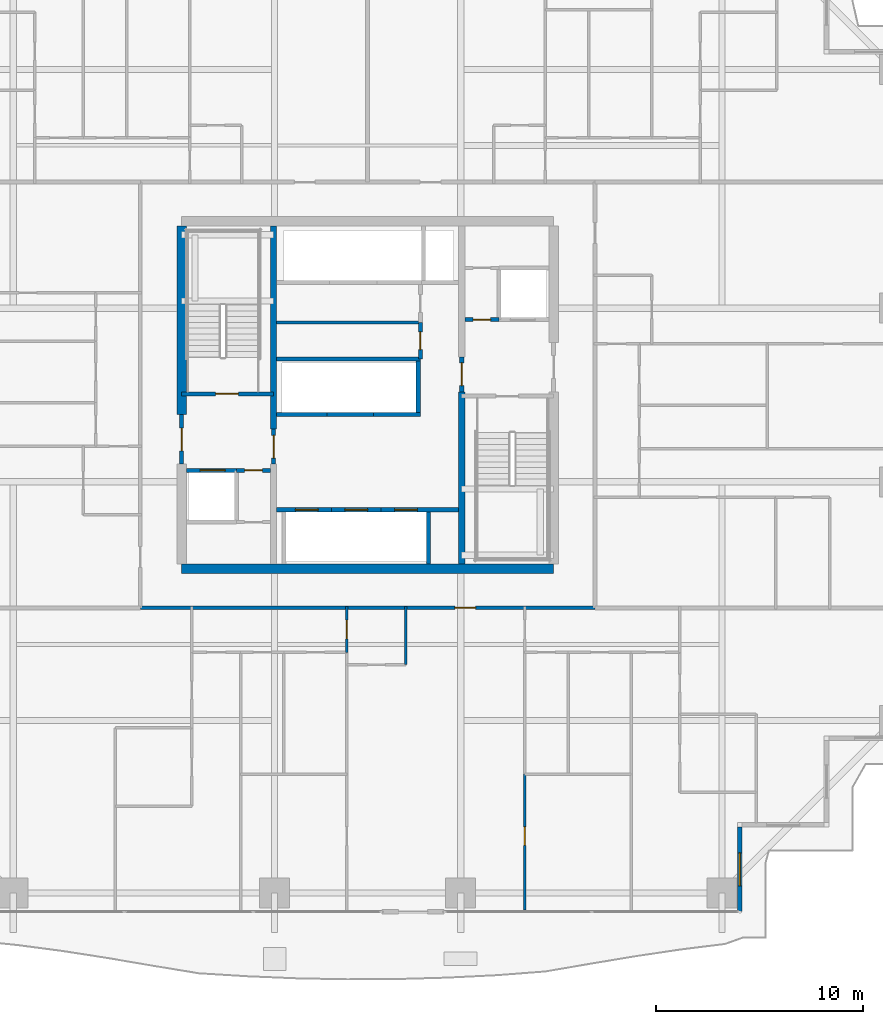
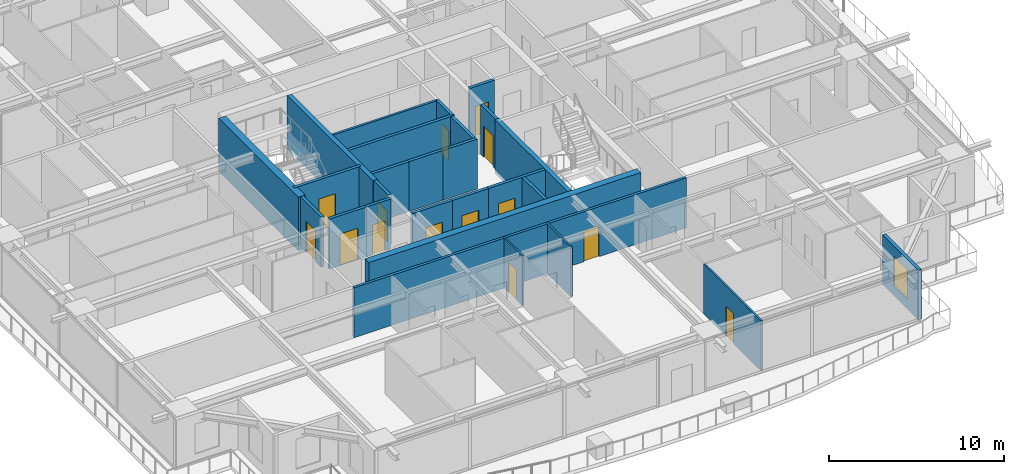
# One storey, part 28 of 39: 27 walls, 14 doors, 1 window, 15 openings.
"""IFC4 building model written with IfcOpenShell, lengths in metres."""

from ifc_helpers import new_model, si_unit, direction, frame, frame_2d, origin, place, context, subcontext, project, spatial, rectangle, extrude, source, transform, mapped, material, layer, layer_set, type_object, element, fill, save


model = new_model("IFC4")

# Units and contexts
model_context = context("Model", 3, precision=1e-05, world=origin(), true_north=direction((0.0, 1.0)))
body_context = subcontext(model_context, "Body", "Model", "MODEL_VIEW")
ifc_project = project(units=[si_unit("LENGTHUNIT", "METRE"), si_unit("AREAUNIT", "SQUARE_METRE"), si_unit("VOLUMEUNIT", "CUBIC_METRE"), si_unit("PLANEANGLEUNIT", "RADIAN"), si_unit("MASSUNIT", "GRAM", prefix="KILO")], contexts=[model_context])

# Site, building, storey
site_placement = place(None, origin())
site = spatial("IfcSite", under=ifc_project, at=site_placement, CompositionType="ELEMENT")
building_placement = place(site_placement, origin())
building = spatial("IfcBuilding", under=site, at=building_placement, Name="Serunith Strait Residences", CompositionType="ELEMENT")
storey_placement = place(building_placement, frame((0.0, 0.0, 94.199951171875)))
storey = spatial("IfcBuildingStorey", under=building, at=storey_placement, Name="L23", CompositionType="ELEMENT", Elevation=94.199951171875)

# Wall, opening, window
ifc_material_1 = material(Name="Pale-Champagne Aluminium Insulated Panel", Category="aluminium")
ifc_layer_1 = layer(ifc_material_1, 0.219970703125, Name="Pale-Champagne Aluminium Insulated Panel")
ifc_layer_set_1 = layer_set([ifc_layer_1], Name="Pale-Champagne Aluminium Insulated Panel")
wall_type_1 = type_object("IfcWallType", Name="EW-ALUM-220", PredefinedType="ELEMENTEDWALL", material=ifc_layer_set_1)
wall_1_placement = place(storey_placement, frame((50.39990234375, 0.199951171875, 0.0), z_axis=(0.0, 0.0, 1.0), x_axis=(0.0, 1.0, 0.0)))
wall_1 = element("IfcWall", 1, at=wall_1_placement, inside=storey, type_object=wall_type_1, Name="L23 Girih Serrated Corner Wall 02", PredefinedType="ELEMENTEDWALL", context=body_context, shape_type="SweptSolid", body=[
    extrude(rectangle(XDim=4.090087890625, YDim=0.219970703125, at=frame_2d((2.044921875, 0.0))), origin(), (0.0, 0.0, 1.0), 3.47509765625),
])
opening_1_placement = place(wall_1_placement, frame((1.2451171875, 0.0, 0.64990234375)))
opening_1 = element("IfcOpeningElement", 2, at=opening_1_placement, cuts=wall_1, Name="Opening W-02", PredefinedType="OPENING", context=body_context, shape_type="SweptSolid", body=[
    extrude(rectangle(XDim=1.60009765625, YDim=2.10009765625, at=frame_2d((0.800048828125, 1.050048828125))), frame((0.0, 0.1201171875, 0.0), z_axis=(0.0, -1.0, 0.0), x_axis=(1.0, 0.0, 0.0)), (0.0, 0.0, 1.0), 0.239990234375),
])
ifc_material_2 = material(Name="Ceramic-Fritted Operable Aluminium Window Glass", Category="aluminium")
window_type = type_object("IfcWindowType", Name="WIN-C2", PartitioningType="DOUBLE_PANEL_VERTICAL", PredefinedType="WINDOW", material=ifc_material_2)
shared_shape_1 = source(origin(), body_context, "Body", "SweptSolid", [
    extrude(rectangle(XDim=1.60009765625, YDim=2.10009765625, at=frame_2d((0.800048828125, 1.050048828125))), frame((0.0, 0.030029296875, 0.0), z_axis=(0.0, -1.0, 0.0), x_axis=(1.0, 0.0, 0.0)), (0.0, 0.0, 1.0), 0.06005859375),
])
window_placement = place(opening_1_placement, origin())
window = element("IfcWindow", 3, at=window_placement, inside=storey, type_object=window_type, Name="L23 Corner Operable Fritted Window 02", OverallHeight=2.10009765625, OverallWidth=1.60009765625, PartitioningType="SINGLE_PANEL", PredefinedType="WINDOW", context=body_context, shape_type="MappedRepresentation", body=[
    mapped(shared_shape_1, transform((0.0, 0.0, 0.0), scale=1.0)),
])
fill(opening_1, window)

# Wall
ifc_material_3 = material(Name="Fire-rated masonry service closet wall", Category="masonry")
ifc_layer_2 = layer(ifc_material_3, 0.14990234375, Name="Fire-rated masonry service closet wall")
ifc_layer_set_2 = layer_set([ifc_layer_2], Name="Fire-rated masonry service closet wall")
wall_type_2 = type_object("IfcWallType", Name="IW-BOH-150", PredefinedType="PARTITIONING", material=ifc_layer_set_2)
wall_2_placement = place(storey_placement, frame((28.0, 28.699951171875, 0.0), z_axis=(0.0, 0.0, 1.0), x_axis=(1.0, 0.0, 0.0)))
element("IfcWall", 4, at=wall_2_placement, inside=storey, type_object=wall_type_2, Name="L23 Partition Wall 016", PredefinedType="PARTITIONING", context=body_context, shape_type="SweptSolid", body=[
    extrude(rectangle(XDim=6.949951171875, YDim=0.14990234375, at=frame_2d((3.47509765625, 0.0))), origin(), (0.0, 0.0, 1.0), 3.489990234375),
])

# Wall, opening, door
ifc_material_4 = material(Name="Fire-rated acoustic gypsum partition")
ifc_layer_3 = layer(ifc_material_4, 0.179931640625, Name="Fire-rated acoustic gypsum partition")
ifc_layer_set_3 = layer_set([ifc_layer_3], Name="Fire-rated acoustic gypsum partition")
wall_type_3 = type_object("IfcWallType", Name="IW-CORR-180", PredefinedType="PARTITIONING", material=ifc_layer_set_3)
wall_3_placement = place(storey_placement, frame((21.402099609375, 14.89990234375, 0.0), z_axis=(0.0, 0.0, 1.0), x_axis=(1.0, 0.0, 0.0)))
wall_3 = element("IfcWall", 5, at=wall_3_placement, inside=storey, type_object=wall_type_3, Name="L23 Partition Wall 022", PredefinedType="PARTITIONING", context=body_context, shape_type="SweptSolid", body=[
    extrude(rectangle(XDim=21.995849609375, YDim=0.179931640625, at=frame_2d((10.998046875, 0.0))), origin(), (0.0, 0.0, 1.0), 3.489990234375),
])
opening_2_placement = place(wall_3_placement, frame((15.221923828125, 0.0, 0.0)))
opening_2 = element("IfcOpeningElement", 6, at=opening_2_placement, cuts=wall_3, Name="Opening D-APT1000", PredefinedType="OPENING", context=body_context, shape_type="SweptSolid", body=[
    extrude(rectangle(XDim=1.0, YDim=2.14990234375, at=frame_2d((0.5, 1.074951171875))), frame((0.0, 0.10009765625, 0.0), z_axis=(0.0, -1.0, 0.0), x_axis=(1.0, 0.0, 0.0)), (0.0, 0.0, 1.0), 0.199951171875),
])
ifc_material_5 = material(Name="Solid timber engineered fire door", Category="wood")
door_type_1 = type_object("IfcDoorType", Name="ID-APT-1000", OperationType="NOTDEFINED", PredefinedType="DOOR", material=ifc_material_5)
shared_shape_2 = source(origin(), body_context, "Body", "SweptSolid", [
    extrude(rectangle(XDim=1.0, YDim=2.14990234375, at=frame_2d((0.5, 1.074951171875))), frame((0.0, 0.02490234375, 0.0), z_axis=(0.0, -1.0, 0.0), x_axis=(1.0, 0.0, 0.0)), (0.0, 0.0, 1.0), 0.050048828125),
])
door_1_placement = place(opening_2_placement, origin())
door_1 = element("IfcDoor", 7, at=door_1_placement, inside=storey, type_object=door_type_1, Name="L23 Unit 01 Entrance Door", OperationType="SINGLE_SWING_RIGHT", OverallHeight=2.14990234375, OverallWidth=1.0, PredefinedType="DOOR", context=body_context, shape_type="MappedRepresentation", body=[
    mapped(shared_shape_2, transform((0.0, 0.0, 0.0), scale=1.0)),
])
fill(opening_2, door_1)

# Wall
ifc_material_6 = material(Name="Lightweight steel-stud gypsum partition", Category="steel")
ifc_layer_4 = layer(ifc_material_6, 0.1201171875, Name="Lightweight steel-stud gypsum partition")
ifc_layer_set_4 = layer_set([ifc_layer_4], Name="Lightweight steel-stud gypsum partition")
wall_type_4 = type_object("IfcWallType", Name="IW-PART-120", PredefinedType="PARTITIONING", material=ifc_layer_set_4)
wall_4_placement = place(storey_placement, frame((34.25, 12.14990234375, 0.0), z_axis=(0.0, 0.0, 1.0), x_axis=(0.0, 1.0, 0.0)))
element("IfcWall", 8, at=wall_4_placement, inside=storey, type_object=wall_type_4, Name="L23 Partition Wall 027", PredefinedType="PARTITIONING", context=body_context, shape_type="SweptSolid", body=[
    extrude(rectangle(XDim=2.81005859375, YDim=0.1201171875, at=frame_2d((1.405029296875, 0.0))), origin(), (0.0, 0.0, 1.0), 3.489990234375),
])

# Wall, opening, door
wall_5_placement = place(storey_placement, frame((31.39990234375, 12.75, 0.0), z_axis=(0.0, 0.0, 1.0), x_axis=(0.0, 1.0, 0.0)))
wall_5 = element("IfcWall", 9, at=wall_5_placement, inside=storey, type_object=wall_type_4, Name="L23 Partition Wall 028", PredefinedType="PARTITIONING", context=body_context, shape_type="SweptSolid", body=[
    extrude(rectangle(XDim=2.2099609375, YDim=0.1201171875, at=frame_2d((1.10498046875, 0.0))), origin(), (0.0, 0.0, 1.0), 3.489990234375),
])
opening_3_placement = place(wall_5_placement, frame((0.655029296875, 0.0, 0.0)))
opening_3 = element("IfcOpeningElement", 10, at=opening_3_placement, cuts=wall_5, Name="Opening D-RM900", PredefinedType="OPENING", context=body_context, shape_type="SweptSolid", body=[
    extrude(rectangle(XDim=0.89990234375, YDim=2.10009765625, at=frame_2d((0.449951171875, 1.050048828125))), frame((0.0, 0.070068359375, 0.0), z_axis=(0.0, -1.0, 0.0), x_axis=(1.0, 0.0, 0.0)), (0.0, 0.0, 1.0), 0.14013671875),
])
ifc_material_7 = material(Name="Engineered timber flush bedroom door", Category="wood")
door_type_2 = type_object("IfcDoorType", Name="ID-ROOM-900", OperationType="NOTDEFINED", PredefinedType="DOOR", material=ifc_material_7)
shared_shape_3 = source(origin(), body_context, "Body", "SweptSolid", [
    extrude(rectangle(XDim=0.89990234375, YDim=2.10009765625, at=frame_2d((0.449951171875, 1.050048828125))), frame((0.0, 0.02490234375, 0.0), z_axis=(0.0, -1.0, 0.0), x_axis=(1.0, 0.0, 0.0)), (0.0, 0.0, 1.0), 0.050048828125),
])
door_2_placement = place(opening_3_placement, origin())
door_2 = element("IfcDoor", 11, at=door_2_placement, inside=storey, type_object=door_type_2, Name="L23 Hall W 2301 Door", OperationType="SINGLE_SWING_RIGHT", OverallHeight=2.10009765625, OverallWidth=0.89990234375, PredefinedType="DOOR", context=body_context, shape_type="MappedRepresentation", body=[
    mapped(shared_shape_3, transform((0.0, 0.0, 0.0), scale=1.0)),
])
fill(opening_3, door_2)

wall_6_placement = place(storey_placement, frame((40.0, 0.294921875, 0.0), z_axis=(0.0, 0.0, 1.0), x_axis=(0.0, 1.0, 0.0)))
wall_6 = element("IfcWall", 12, at=wall_6_placement, inside=storey, type_object=wall_type_4, Name="L23 Partition Wall 044", PredefinedType="PARTITIONING", context=body_context, shape_type="SweptSolid", body=[
    extrude(rectangle(XDim=6.565185546875, YDim=0.1201171875, at=frame_2d((3.28271484375, 0.0))), origin(), (0.0, 0.0, 1.0), 3.489990234375),
])
opening_4_placement = place(wall_6_placement, frame((3.115966796875, 0.0, 0.0)))
opening_4 = element("IfcOpeningElement", 13, at=opening_4_placement, cuts=wall_6, Name="Opening D-RM900", PredefinedType="OPENING", context=body_context, shape_type="SweptSolid", body=[
    extrude(rectangle(XDim=0.89990234375, YDim=2.10009765625, at=frame_2d((0.449951171875, 1.050048828125))), frame((0.0, 0.070068359375, 0.0), z_axis=(0.0, -1.0, 0.0), x_axis=(1.0, 0.0, 0.0)), (0.0, 0.0, 1.0), 0.14013671875),
])
door_3_placement = place(opening_4_placement, origin())
door_3 = element("IfcDoor", 14, at=door_3_placement, inside=storey, type_object=door_type_2, Name="L23 Formal Dining Room 3 2301 Door", OperationType="SINGLE_SWING_RIGHT", OverallHeight=2.10009765625, OverallWidth=0.89990234375, PredefinedType="DOOR", context=body_context, shape_type="MappedRepresentation", body=[
    mapped(shared_shape_3, transform((0.0, 0.0, 0.0), scale=1.0)),
])
fill(opening_4, door_3)

ifc_material_8 = material(Name="Autoclaved aerated concrete blockwork", Category="masonry")
ifc_layer_5 = layer(ifc_material_8, 0.199951171875, Name="Autoclaved aerated concrete blockwork")
ifc_layer_set_5 = layer_set([ifc_layer_5], Name="Autoclaved aerated concrete blockwork")
wall_type_5 = type_object("IfcWallType", Name="IW-SHAFT-200", PredefinedType="STANDARD", material=ifc_layer_set_5)
wall_7_placement = place(storey_placement, frame((23.39990234375, 25.25, 0.0), z_axis=(0.0, 0.0, 1.0), x_axis=(1.0, 0.0, 0.0)))
wall_7 = element("IfcWall", 15, at=wall_7_placement, inside=storey, type_object=wall_type_5, Name="L23 ST-1 South Shaft Wall", PredefinedType="STANDARD", context=body_context, shape_type="SweptSolid", body=[
    extrude(rectangle(XDim=4.4501953125, YDim=0.199951171875, at=frame_2d((2.22509765625, 0.0))), origin(), (0.0, 0.0, 1.0), 3.489990234375),
])
opening_5_placement = place(wall_7_placement, frame((1.64990234375, 0.0, 0.0)))
opening_5 = element("IfcOpeningElement", 16, at=opening_5_placement, cuts=wall_7, Name="Opening FD-1100", PredefinedType="OPENING", context=body_context, shape_type="SweptSolid", body=[
    extrude(rectangle(XDim=1.10009765625, YDim=2.14990234375, at=frame_2d((0.550048828125, 1.074951171875))), frame((0.0, 0.10986328125, 0.0), z_axis=(0.0, -1.0, 0.0), x_axis=(1.0, 0.0, 0.0)), (0.0, 0.0, 1.0), 0.219970703125),
])
ifc_material_9 = material(Name="Galvanised steel fire door leaf", Category="steel")
door_type_3 = type_object("IfcDoorType", Name="FD-STAIR-1100", OperationType="NOTDEFINED", PredefinedType="DOOR", material=ifc_material_9)
shared_shape_4 = source(origin(), body_context, "Body", "SweptSolid", [
    extrude(rectangle(XDim=1.10009765625, YDim=2.14990234375, at=frame_2d((0.550048828125, 1.074951171875))), frame((0.0, 0.02490234375, 0.0), z_axis=(0.0, -1.0, 0.0), x_axis=(1.0, 0.0, 0.0)), (0.0, 0.0, 1.0), 0.050048828125),
])
door_4_placement = place(opening_5_placement, origin())
door_4 = element("IfcDoor", 17, at=door_4_placement, inside=storey, type_object=door_type_3, Name="L23 ST-1 Escape Stair Door", OperationType="SINGLE_SWING_LEFT", OverallHeight=2.14990234375, OverallWidth=1.10009765625, PredefinedType="DOOR", context=body_context, shape_type="MappedRepresentation", body=[
    mapped(shared_shape_4, transform((0.0, 0.0, 0.0), scale=1.0)),
])
fill(opening_5, door_4)

wall_8_placement = place(storey_placement, frame((23.625, 21.550048828125, 0.0), z_axis=(0.0, 0.0, 1.0), x_axis=(1.0, 0.0, 0.0)))
wall_8 = element("IfcWall", 18, at=wall_8_placement, inside=storey, type_object=wall_type_5, Name="L23 FL-1 North Shaft Wall", PredefinedType="STANDARD", context=body_context, shape_type="SweptSolid", body=[
    extrude(rectangle(XDim=2.425048828125, YDim=0.199951171875, at=frame_2d((1.21240234375, 0.0))), origin(), (0.0, 0.0, 1.0), 3.489990234375),
])
opening_6_placement = place(wall_8_placement, frame((0.675048828125, 0.0, 0.0)))
opening_6 = element("IfcOpeningElement", 19, at=opening_6_placement, cuts=wall_8, Name="Opening LD-FF1200", PredefinedType="OPENING", context=body_context, shape_type="SweptSolid", body=[
    extrude(rectangle(XDim=1.199951171875, YDim=2.199951171875, at=frame_2d((0.60009765625, 1.10009765625))), frame((0.0, 0.10986328125, 0.0), z_axis=(0.0, -1.0, 0.0), x_axis=(1.0, 0.0, 0.0)), (0.0, 0.0, 1.0), 0.219970703125),
])
ifc_material_10 = material(Name="Brushed stainless steel landing door", Category="steel")
door_type_4 = type_object("IfcDoorType", Name="LD-FF-1200", OperationType="DOUBLE_DOOR_SLIDING", PredefinedType="DOOR", material=ifc_material_10)
shared_shape_5 = source(origin(), body_context, "Body", "SweptSolid", [
    extrude(rectangle(XDim=1.199951171875, YDim=2.199951171875, at=frame_2d((0.60009765625, 1.10009765625))), frame((0.0, 0.02490234375, 0.0), z_axis=(0.0, -1.0, 0.0), x_axis=(1.0, 0.0, 0.0)), (0.0, 0.0, 1.0), 0.050048828125),
])
door_5_placement = place(opening_6_placement, origin())
door_5 = element("IfcDoor", 20, at=door_5_placement, inside=storey, type_object=door_type_4, Name="L23 FL-1 Landing Door", OperationType="DOUBLE_DOOR_SLIDING", OverallHeight=2.199951171875, OverallWidth=1.199951171875, PredefinedType="DOOR", context=body_context, shape_type="MappedRepresentation", body=[
    mapped(shared_shape_5, transform((0.0, 0.0, 0.0), scale=1.0)),
])
fill(opening_6, door_5)

wall_9_placement = place(storey_placement, frame((28.0, 19.64990234375, 0.0), z_axis=(0.0, 0.0, 1.0), x_axis=(1.0, 0.0, 0.0)))
wall_9 = element("IfcWall", 21, at=wall_9_placement, inside=storey, type_object=wall_type_5, Name="L23 PL-1 North Shaft Wall", PredefinedType="STANDARD", context=body_context, shape_type="SweptSolid", body=[
    extrude(rectangle(XDim=2.64990234375, YDim=0.199951171875, at=frame_2d((1.324951171875, 0.0))), origin(), (0.0, 0.0, 1.0), 3.489990234375),
])
opening_7_placement = place(wall_9_placement, frame((0.89990234375, 0.0, 0.0)))
opening_7 = element("IfcOpeningElement", 22, at=opening_7_placement, cuts=wall_9, Name="Opening LD-1100", PredefinedType="OPENING", context=body_context, shape_type="SweptSolid", body=[
    extrude(rectangle(XDim=1.10009765625, YDim=2.199951171875, at=frame_2d((0.550048828125, 1.10009765625))), frame((0.0, 0.10986328125, 0.0), z_axis=(0.0, -1.0, 0.0), x_axis=(1.0, 0.0, 0.0)), (0.0, 0.0, 1.0), 0.219970703125),
])
ifc_material_11 = material(Name="Pale-champagne stainless landing door")
door_type_5 = type_object("IfcDoorType", Name="LD-LIFT-1100", OperationType="DOUBLE_DOOR_SLIDING", PredefinedType="DOOR", material=ifc_material_11)
shared_shape_6 = source(origin(), body_context, "Body", "SweptSolid", [
    extrude(rectangle(XDim=1.10009765625, YDim=2.199951171875, at=frame_2d((0.550048828125, 1.10009765625))), frame((0.0, 0.02490234375, 0.0), z_axis=(0.0, -1.0, 0.0), x_axis=(1.0, 0.0, 0.0)), (0.0, 0.0, 1.0), 0.050048828125),
])
door_6_placement = place(opening_7_placement, origin())
door_6 = element("IfcDoor", 23, at=door_6_placement, inside=storey, type_object=door_type_5, Name="L23 PL-1 Landing Door", OperationType="DOUBLE_DOOR_SLIDING", OverallHeight=2.199951171875, OverallWidth=1.10009765625, PredefinedType="DOOR", context=body_context, shape_type="MappedRepresentation", body=[
    mapped(shared_shape_6, transform((0.0, 0.0, 0.0), scale=1.0)),
])
fill(opening_7, door_6)

wall_10_placement = place(storey_placement, frame((30.64990234375, 19.64990234375, 0.0), z_axis=(0.0, 0.0, 1.0), x_axis=(1.0, 0.0, 0.0)))
wall_10 = element("IfcWall", 24, at=wall_10_placement, inside=storey, type_object=wall_type_5, Name="L23 PL-2 North Shaft Wall", PredefinedType="STANDARD", context=body_context, shape_type="SweptSolid", body=[
    extrude(rectangle(XDim=2.400146484375, YDim=0.199951171875, at=frame_2d((1.2001953125, 0.0))), origin(), (0.0, 0.0, 1.0), 3.489990234375),
])
opening_8_placement = place(wall_10_placement, frame((0.64990234375, 0.0, 0.0)))
opening_8 = element("IfcOpeningElement", 25, at=opening_8_placement, cuts=wall_10, Name="Opening LD-1100", PredefinedType="OPENING", context=body_context, shape_type="SweptSolid", body=[
    extrude(rectangle(XDim=1.10009765625, YDim=2.199951171875, at=frame_2d((0.550048828125, 1.10009765625))), frame((0.0, 0.10986328125, 0.0), z_axis=(0.0, -1.0, 0.0), x_axis=(1.0, 0.0, 0.0)), (0.0, 0.0, 1.0), 0.219970703125),
])
door_7_placement = place(opening_8_placement, origin())
door_7 = element("IfcDoor", 26, at=door_7_placement, inside=storey, type_object=door_type_5, Name="L23 PL-2 Landing Door", OperationType="DOUBLE_DOOR_SLIDING", OverallHeight=2.199951171875, OverallWidth=1.10009765625, PredefinedType="DOOR", context=body_context, shape_type="MappedRepresentation", body=[
    mapped(shared_shape_6, transform((0.0, 0.0, 0.0), scale=1.0)),
])
fill(opening_8, door_7)

wall_11_placement = place(storey_placement, frame((33.050048828125, 19.64990234375, 0.0), z_axis=(0.0, 0.0, 1.0), x_axis=(1.0, 0.0, 0.0)))
wall_11 = element("IfcWall", 27, at=wall_11_placement, inside=storey, type_object=wall_type_5, Name="L23 PL-3 North Shaft Wall", PredefinedType="STANDARD", context=body_context, shape_type="SweptSolid", body=[
    extrude(rectangle(XDim=3.75, YDim=0.199951171875, at=frame_2d((1.875, 0.0))), origin(), (0.0, 0.0, 1.0), 3.489990234375),
])
opening_9_placement = place(wall_11_placement, frame((0.64990234375, 0.0, 0.0)))
opening_9 = element("IfcOpeningElement", 28, at=opening_9_placement, cuts=wall_11, Name="Opening LD-1100", PredefinedType="OPENING", context=body_context, shape_type="SweptSolid", body=[
    extrude(rectangle(XDim=1.10009765625, YDim=2.199951171875, at=frame_2d((0.550048828125, 1.10009765625))), frame((0.0, 0.10986328125, 0.0), z_axis=(0.0, -1.0, 0.0), x_axis=(1.0, 0.0, 0.0)), (0.0, 0.0, 1.0), 0.219970703125),
])
door_8_placement = place(opening_9_placement, origin())
door_8 = element("IfcDoor", 29, at=door_8_placement, inside=storey, type_object=door_type_5, Name="L23 PL-3 Landing Door", OperationType="DOUBLE_DOOR_SLIDING", OverallHeight=2.199951171875, OverallWidth=1.10009765625, PredefinedType="DOOR", context=body_context, shape_type="MappedRepresentation", body=[
    mapped(shared_shape_6, transform((0.0, 0.0, 0.0), scale=1.0)),
])
fill(opening_9, door_8)

# Walls
wall_12_placement = place(storey_placement, frame((35.35009765625, 17.02490234375, 0.0), z_axis=(0.0, 0.0, 1.0), x_axis=(0.0, 1.0, 0.0)))
element("IfcWall", 30, at=wall_12_placement, inside=storey, type_object=wall_type_5, Name="L23 PL-3 East Shaft Wall", PredefinedType="STANDARD", context=body_context, shape_type="SweptSolid", body=[
    extrude(rectangle(XDim=2.525146484375, YDim=0.199951171875, at=frame_2d((1.2626953125, 0.0))), origin(), (0.0, 0.0, 1.0), 3.489990234375),
])
wall_13_placement = place(storey_placement, frame((28.0, 24.25, 0.0), z_axis=(0.0, 0.0, 1.0), x_axis=(1.0, 0.0, 0.0)))
element("IfcWall", 31, at=wall_13_placement, inside=storey, type_object=wall_type_5, Name="L23 PL-4 South Shaft Wall", PredefinedType="STANDARD", context=body_context, shape_type="SweptSolid", body=[
    extrude(rectangle(XDim=2.425048828125, YDim=0.199951171875, at=frame_2d((1.21240234375, 0.0))), origin(), (0.0, 0.0, 1.0), 3.489990234375),
])
wall_14_placement = place(storey_placement, frame((30.425048828125, 24.25, 0.0), z_axis=(0.0, 0.0, 1.0), x_axis=(1.0, 0.0, 0.0)))
element("IfcWall", 32, at=wall_14_placement, inside=storey, type_object=wall_type_5, Name="L23 PL-5 South Shaft Wall", PredefinedType="STANDARD", context=body_context, shape_type="SweptSolid", body=[
    extrude(rectangle(XDim=2.25, YDim=0.199951171875, at=frame_2d((1.125, 0.0))), origin(), (0.0, 0.0, 1.0), 3.489990234375),
])
wall_15_placement = place(storey_placement, frame((32.675048828125, 24.25, 0.0), z_axis=(0.0, 0.0, 1.0), x_axis=(1.0, 0.0, 0.0)))
element("IfcWall", 33, at=wall_15_placement, inside=storey, type_object=wall_type_5, Name="L23 PL-6 South Shaft Wall", PredefinedType="STANDARD", context=body_context, shape_type="SweptSolid", body=[
    extrude(rectangle(XDim=2.27490234375, YDim=0.199951171875, at=frame_2d((1.137451171875, 0.0))), origin(), (0.0, 0.0, 1.0), 3.489990234375),
])
wall_16_placement = place(storey_placement, frame((34.85009765625, 24.35009765625, 0.0), z_axis=(0.0, 0.0, 1.0), x_axis=(0.0, 1.0, 0.0)))
element("IfcWall", 34, at=wall_16_placement, inside=storey, type_object=wall_type_5, Name="L23 PL-6 East Shaft Wall", PredefinedType="STANDARD", context=body_context, shape_type="SweptSolid", body=[
    extrude(rectangle(XDim=2.5, YDim=0.199951171875, at=frame_2d((1.25, 0.0))), origin(), (0.0, 0.0, 1.0), 3.489990234375),
])

# Wall, opening, door
wall_17_placement = place(storey_placement, frame((26.052001953125, 21.550048828125, 0.0), z_axis=(0.0, 0.0, 1.0), x_axis=(1.0, 0.0, 0.0)))
wall_17 = element("IfcWall", 35, at=wall_17_placement, inside=storey, type_object=wall_type_5, Name="L23 Partition Wall 003", PredefinedType="STANDARD", context=body_context, shape_type="SweptSolid", body=[
    extrude(rectangle(XDim=1.64794921875, YDim=0.199951171875, at=frame_2d((0.823974609375, 0.0))), origin(), (0.0, 0.0, 1.0), 3.489990234375),
])
opening_10_placement = place(wall_17_placement, frame((0.39892578125, 0.0, 0.0)))
opening_10 = element("IfcOpeningElement", 36, at=opening_10_placement, cuts=wall_17, Name="Opening FD-850", PredefinedType="OPENING", context=body_context, shape_type="SweptSolid", body=[
    extrude(rectangle(XDim=0.85009765625, YDim=2.10009765625, at=frame_2d((0.425048828125, 1.050048828125))), frame((0.0, 0.10986328125, 0.0), z_axis=(0.0, -1.0, 0.0), x_axis=(1.0, 0.0, 0.0)), (0.0, 0.0, 1.0), 0.219970703125),
])
ifc_material_12 = material(Name="Powder-coated steel service closet door", Category="steel")
door_type_6 = type_object("IfcDoorType", Name="FD-BOH-850", OperationType="NOTDEFINED", PredefinedType="DOOR", material=ifc_material_12)
shared_shape_7 = source(origin(), body_context, "Body", "SweptSolid", [
    extrude(rectangle(XDim=0.85009765625, YDim=2.10009765625, at=frame_2d((0.425048828125, 1.050048828125))), frame((0.0, 0.02490234375, 0.0), z_axis=(0.0, -1.0, 0.0), x_axis=(1.0, 0.0, 0.0)), (0.0, 0.0, 1.0), 0.050048828125),
])
door_9_placement = place(opening_10_placement, origin())
door_9 = element("IfcDoor", 37, at=door_9_placement, inside=storey, type_object=door_type_6, Name="L23 South-West Core Service Door", OperationType="SINGLE_SWING_RIGHT", OverallHeight=2.10009765625, OverallWidth=0.85009765625, PredefinedType="DOOR", context=body_context, shape_type="MappedRepresentation", body=[
    mapped(shared_shape_7, transform((0.0, 0.0, 0.0), scale=1.0)),
])
fill(opening_10, door_9)

wall_18_placement = place(storey_placement, frame((37.10009765625, 28.85009765625, 0.0), z_axis=(0.0, 0.0, 1.0), x_axis=(1.0, 0.0, 0.0)))
wall_18 = element("IfcWall", 38, at=wall_18_placement, inside=storey, type_object=wall_type_5, Name="L23 Partition Wall 006", PredefinedType="STANDARD", context=body_context, shape_type="SweptSolid", body=[
    extrude(rectangle(XDim=1.64794921875, YDim=0.199951171875, at=frame_2d((0.823974609375, 0.0))), origin(), (0.0, 0.0, 1.0), 3.489990234375),
])
opening_11_placement = place(wall_18_placement, frame((0.39892578125, 0.0, 0.0)))
opening_11 = element("IfcOpeningElement", 39, at=opening_11_placement, cuts=wall_18, Name="Opening FD-850", PredefinedType="OPENING", context=body_context, shape_type="SweptSolid", body=[
    extrude(rectangle(XDim=0.85009765625, YDim=2.10009765625, at=frame_2d((0.425048828125, 1.050048828125))), frame((0.0, 0.10986328125, 0.0), z_axis=(0.0, -1.0, 0.0), x_axis=(1.0, 0.0, 0.0)), (0.0, 0.0, 1.0), 0.219970703125),
])
door_10_placement = place(opening_11_placement, origin())
door_10 = element("IfcDoor", 40, at=door_10_placement, inside=storey, type_object=door_type_6, Name="L23 North-East Core Service Door", OperationType="SINGLE_SWING_LEFT", OverallHeight=2.10009765625, OverallWidth=0.85009765625, PredefinedType="DOOR", context=body_context, shape_type="MappedRepresentation", body=[
    mapped(shared_shape_7, transform((0.0, 0.0, 0.0), scale=1.0)),
])
fill(opening_11, door_10)

wall_19_placement = place(storey_placement, frame((23.39990234375, 21.85205078125, 0.0), z_axis=(0.0, 0.0, 1.0), x_axis=(0.0, 1.0, 0.0)))
wall_19 = element("IfcWall", 41, at=wall_19_placement, inside=storey, type_object=wall_type_5, Name="L23 Partition Wall 007", PredefinedType="STANDARD", context=body_context, shape_type="SweptSolid", body=[
    extrude(rectangle(XDim=2.39599609375, YDim=0.199951171875, at=frame_2d((1.197998046875, 0.0))), origin(), (0.0, 0.0, 1.0), 3.489990234375),
])
opening_12_placement = place(wall_19_placement, frame((0.64794921875, 0.0, 0.0)))
opening_12 = element("IfcOpeningElement", 42, at=opening_12_placement, cuts=wall_19, Name="Opening FD-FFL", PredefinedType="OPENING", context=body_context, shape_type="SweptSolid", body=[
    extrude(rectangle(XDim=1.10009765625, YDim=2.14990234375, at=frame_2d((0.550048828125, 1.074951171875))), frame((0.0, 0.10986328125, 0.0), z_axis=(0.0, -1.0, 0.0), x_axis=(1.0, 0.0, 0.0)), (0.0, 0.0, 1.0), 0.219970703125),
])
ifc_material_13 = material(Name="Glazed steel smoke-lobby fire door", Category="steel")
door_type_7 = type_object("IfcDoorType", Name="FD-FFL-1100", OperationType="NOTDEFINED", PredefinedType="DOOR", material=ifc_material_13)
door_11_placement = place(opening_12_placement, origin())
door_11 = element("IfcDoor", 43, at=door_11_placement, inside=storey, type_object=door_type_7, Name="L23 FFL-1 Corridor Fire Door", OperationType="SINGLE_SWING_RIGHT", OverallHeight=2.14990234375, OverallWidth=1.10009765625, PredefinedType="DOOR", context=body_context, shape_type="MappedRepresentation", body=[
    mapped(shared_shape_4, transform((0.0, 0.0, 0.0), scale=1.0)),
])
fill(opening_12, door_11)

wall_20_placement = place(storey_placement, frame((27.85009765625, 21.85205078125, 0.0), z_axis=(0.0, 0.0, 1.0), x_axis=(0.0, 1.0, 0.0)))
wall_20 = element("IfcWall", 44, at=wall_20_placement, inside=storey, type_object=wall_type_5, Name="L23 Partition Wall 009", PredefinedType="STANDARD", context=body_context, shape_type="SweptSolid", body=[
    extrude(rectangle(XDim=1.696044921875, YDim=0.199951171875, at=frame_2d((0.84814453125, 0.0))), origin(), (0.0, 0.0, 1.0), 3.489990234375),
])
opening_13_placement = place(wall_20_placement, frame((0.298095703125, 0.0, 0.0)))
opening_13 = element("IfcOpeningElement", 45, at=opening_13_placement, cuts=wall_20, Name="Opening FD-FFL", PredefinedType="OPENING", context=body_context, shape_type="SweptSolid", body=[
    extrude(rectangle(XDim=1.10009765625, YDim=2.14990234375, at=frame_2d((0.550048828125, 1.074951171875))), frame((0.0, 0.10986328125, 0.0), z_axis=(0.0, -1.0, 0.0), x_axis=(1.0, 0.0, 0.0)), (0.0, 0.0, 1.0), 0.219970703125),
])
door_12_placement = place(opening_13_placement, origin())
door_12 = element("IfcDoor", 46, at=door_12_placement, inside=storey, type_object=door_type_7, Name="L23 FFL-1 Lift Lobby Door", OperationType="SINGLE_SWING_RIGHT", OverallHeight=2.14990234375, OverallWidth=1.10009765625, PredefinedType="DOOR", context=body_context, shape_type="MappedRepresentation", body=[
    mapped(shared_shape_4, transform((0.0, 0.0, 0.0), scale=1.0)),
])
fill(opening_13, door_12)

wall_21_placement = place(storey_placement, frame((36.949951171875, 25.35205078125, 0.0), z_axis=(0.0, 0.0, 1.0), x_axis=(0.0, 1.0, 0.0)))
wall_21 = element("IfcWall", 47, at=wall_21_placement, inside=storey, type_object=wall_type_5, Name="L23 Partition Wall 010", PredefinedType="STANDARD", context=body_context, shape_type="SweptSolid", body=[
    extrude(rectangle(XDim=1.696044921875, YDim=0.199951171875, at=frame_2d((0.84814453125, 0.0))), origin(), (0.0, 0.0, 1.0), 3.489990234375),
])
opening_14_placement = place(wall_21_placement, frame((0.298095703125, 0.0, 0.0)))
opening_14 = element("IfcOpeningElement", 48, at=opening_14_placement, cuts=wall_21, Name="Opening FD-FFL", PredefinedType="OPENING", context=body_context, shape_type="SweptSolid", body=[
    extrude(rectangle(XDim=1.10009765625, YDim=2.14990234375, at=frame_2d((0.550048828125, 1.074951171875))), frame((0.0, 0.10986328125, 0.0), z_axis=(0.0, -1.0, 0.0), x_axis=(1.0, 0.0, 0.0)), (0.0, 0.0, 1.0), 0.219970703125),
])
door_13_placement = place(opening_14_placement, origin())
door_13 = element("IfcDoor", 49, at=door_13_placement, inside=storey, type_object=door_type_7, Name="L23 FFL-2 Lift Lobby Door", OperationType="SINGLE_SWING_LEFT", OverallHeight=2.14990234375, OverallWidth=1.10009765625, PredefinedType="DOOR", context=body_context, shape_type="MappedRepresentation", body=[
    mapped(shared_shape_4, transform((0.0, 0.0, 0.0), scale=1.0)),
])
fill(opening_14, door_13)

# Wall
wall_22_placement = place(storey_placement, frame((28.0, 26.949951171875, 0.0), z_axis=(0.0, 0.0, 1.0), x_axis=(1.0, 0.0, 0.0)))
element("IfcWall", 50, at=wall_22_placement, inside=storey, type_object=wall_type_5, Name="L23 Partition Wall 011", PredefinedType="STANDARD", context=body_context, shape_type="SweptSolid", body=[
    extrude(rectangle(XDim=6.949951171875, YDim=0.199951171875, at=frame_2d((3.47509765625, 0.0))), origin(), (0.0, 0.0, 1.0), 3.489990234375),
])

# Wall, opening, door
wall_23_placement = place(storey_placement, frame((34.949951171875, 26.949951171875, 0.0), z_axis=(0.0, 0.0, 1.0), x_axis=(0.0, 1.0, 0.0)))
wall_23 = element("IfcWall", 51, at=wall_23_placement, inside=storey, type_object=wall_type_5, Name="L23 Partition Wall 014", PredefinedType="STANDARD", context=body_context, shape_type="SweptSolid", body=[
    extrude(rectangle(XDim=1.75, YDim=0.199951171875, at=frame_2d((0.875, 0.0))), origin(), (0.0, 0.0, 1.0), 3.489990234375),
])
opening_15_placement = place(wall_23_placement, frame((0.449951171875, 0.0, 0.0)))
opening_15 = element("IfcOpeningElement", 52, at=opening_15_placement, cuts=wall_23, Name="Opening FD-850", PredefinedType="OPENING", context=body_context, shape_type="SweptSolid", body=[
    extrude(rectangle(XDim=0.85009765625, YDim=2.10009765625, at=frame_2d((0.425048828125, 1.050048828125))), frame((0.0, 0.10986328125, 0.0), z_axis=(0.0, -1.0, 0.0), x_axis=(1.0, 0.0, 0.0)), (0.0, 0.0, 1.0), 0.219970703125),
])
door_14_placement = place(opening_15_placement, origin())
door_14 = element("IfcDoor", 53, at=door_14_placement, inside=storey, type_object=door_type_6, Name="L23 Chilled Water Pump Door", OperationType="SINGLE_SWING_RIGHT", OverallHeight=2.10009765625, OverallWidth=0.85009765625, PredefinedType="DOOR", context=body_context, shape_type="MappedRepresentation", body=[
    mapped(shared_shape_7, transform((0.0, 0.0, 0.0), scale=1.0)),
])
fill(opening_15, door_14)

# Walls
ifc_material_14 = material(Name="Concrete C80/95", Category="concrete")
ifc_layer_6 = layer(ifc_material_14, 0.300048828125, Name="Concrete C80/95")
ifc_layer_set_6 = layer_set([ifc_layer_6], Name="Concrete C80/95")
wall_type_6 = type_object("IfcWallType", Name="SW-300-C80", PredefinedType="SHEAR", material=ifc_layer_set_6)
wall_24_placement = place(storey_placement, frame((27.85009765625, 23.550048828125, -0.260009765625), z_axis=(0.0, 0.0, 1.0), x_axis=(0.0, 1.0, 0.0)))
element("IfcWall", 54, at=wall_24_placement, inside=storey, type_object=wall_type_6, Name="L23 Core Internal West Web North Pier", PredefinedType="SHEAR", context=body_context, shape_type="SweptSolid", body=[
    extrude(rectangle(XDim=9.824951171875, YDim=0.300048828125, at=frame_2d((4.91259765625, 0.0))), origin(), (0.0, 0.0, 1.0), 3.748046875),
])
wall_25_placement = place(storey_placement, frame((36.949951171875, 17.02490234375, -0.260009765625), z_axis=(0.0, 0.0, 1.0), x_axis=(0.0, 1.0, 0.0)))
element("IfcWall", 55, at=wall_25_placement, inside=storey, type_object=wall_type_6, Name="L23 Core Internal East Web South Pier", PredefinedType="SHEAR", context=body_context, shape_type="SweptSolid", body=[
    extrude(rectangle(XDim=8.3251953125, YDim=0.300048828125, at=frame_2d((4.16259765625, 0.0))), origin(), (0.0, 0.0, 1.0), 3.748046875),
])
ifc_layer_7 = layer(ifc_material_14, 0.449951171875, Name="Concrete C80/95")
ifc_layer_set_7 = layer_set([ifc_layer_7], Name="Concrete C80/95")
wall_type_7 = type_object("IfcWallType", Name="SW-450-C80", PredefinedType="SHEAR", material=ifc_layer_set_7)
wall_26_placement = place(storey_placement, frame((23.39990234375, 16.800048828125, -0.260009765625), z_axis=(0.0, 0.0, 1.0), x_axis=(1.0, 0.0, 0.0)))
element("IfcWall", 56, at=wall_26_placement, inside=storey, type_object=wall_type_7, Name="L23 Core South Shear Wall", PredefinedType="SHEAR", context=body_context, shape_type="SweptSolid", body=[
    extrude(rectangle(XDim=18.0, YDim=0.449951171875, at=frame_2d((9.0, 0.0))), origin(), (0.0, 0.0, 1.0), 3.748046875),
])
wall_27_placement = place(storey_placement, frame((23.39990234375, 24.25, -0.260009765625), z_axis=(0.0, 0.0, 1.0), x_axis=(0.0, 1.0, 0.0)))
element("IfcWall", 57, at=wall_27_placement, inside=storey, type_object=wall_type_7, Name="L23 Core West Shear Wall North Pier", PredefinedType="SHEAR", context=body_context, shape_type="SweptSolid", body=[
    extrude(rectangle(XDim=9.125, YDim=0.449951171875, at=frame_2d((4.5625, 0.0))), origin(), (0.0, 0.0, 1.0), 3.748046875),
])

save(model, "model.ifc")
